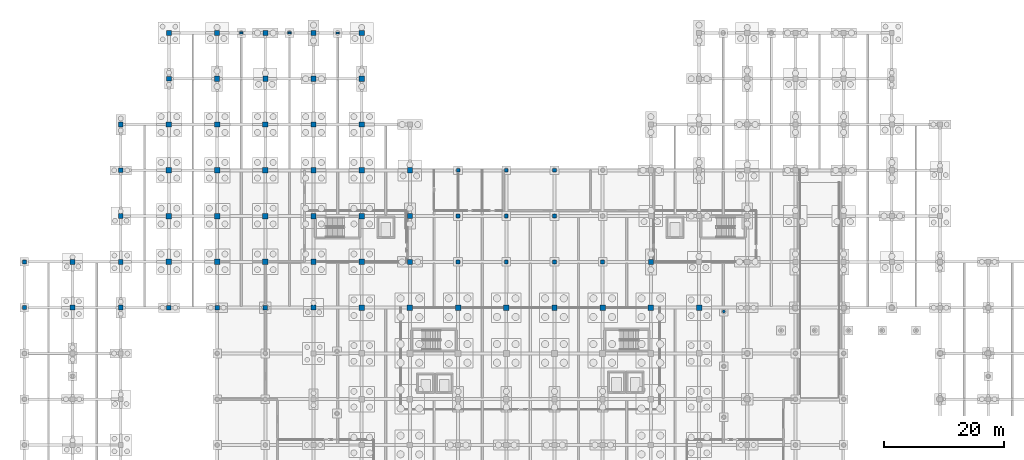
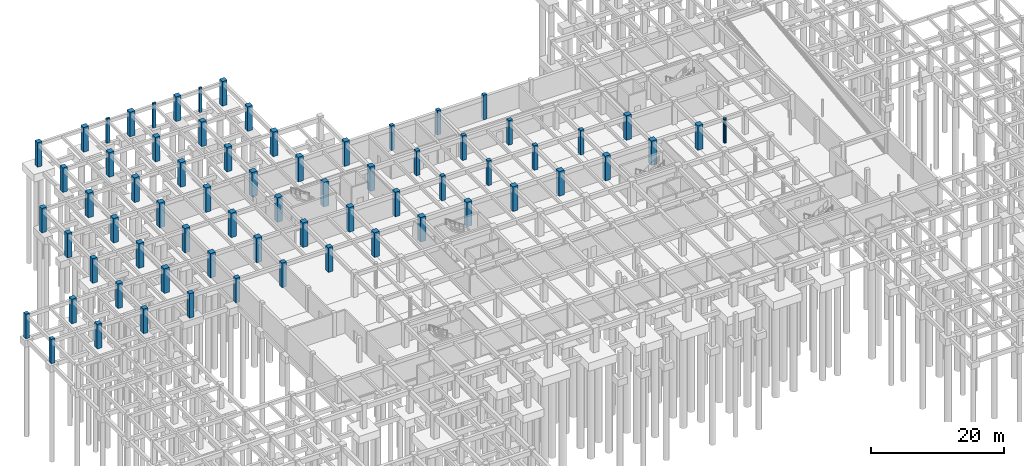
# One storey, part 19 of 49: 69 columns.
"""IFC4 building model written with IfcOpenShell, lengths in metres."""

from ifc_helpers import new_model, si_unit, direction, frame, origin, origin_2d, place, context, subcontext, project, spatial, rectangle, circle, extrude, material, material_profile, profile_set, type_object, element, save


model = new_model("IFC4")

# Units and contexts
model_context = context("Model", 3, precision=1e-05, world=origin(), true_north=direction((0.0, 1.0)))
body_context = subcontext(model_context, "Body", "Model", "MODEL_VIEW")
ifc_project = project(units=[si_unit("LENGTHUNIT", "METRE"), si_unit("AREAUNIT", "SQUARE_METRE"), si_unit("VOLUMEUNIT", "CUBIC_METRE"), si_unit("PLANEANGLEUNIT", "RADIAN"), si_unit("MASSUNIT", "GRAM", prefix="KILO")], contexts=[model_context])

# Site, building, storey
site_placement = place(None, origin())
site = spatial("IfcSite", under=ifc_project, at=site_placement, CompositionType="ELEMENT")
building_placement = place(site_placement, origin())
building = spatial("IfcBuilding", under=site, at=building_placement, Name="Zantavel Square City Hall", CompositionType="ELEMENT")
storey_placement = place(building_placement, frame((0.0, 0.0, -4.5)))
storey = spatial("IfcBuildingStorey", under=building, at=storey_placement, Name="B1", CompositionType="ELEMENT", Elevation=-4.5)

# Columns
ifc_material = material(Name="Concrete C40/50", Category="concrete")
ifc_material_profile_1 = material_profile(ifc_material, rectangle(XDim=0.60009765625, YDim=0.60009765625, at=origin_2d()), Name="RC 600x600")
ifc_profile_set_1 = profile_set([ifc_material_profile_1], Name="Concrete C40/50")
column_type_1 = type_object("IfcColumnType", Name="Column RC 600x600 C40/50", PredefinedType="COLUMN", material=ifc_profile_set_1)
for number, where, z_axis, x_axis, name in (
    (1, (72.0, 91.199951171875, 0.0), (0.0, 0.0, 1.0), (1.0, 0.0, 0.0), "B1 Column COL-B1-0720-0912"),
    (2, (80.0, 91.199951171875, 0.0), (0.0, 0.0, 1.0), (1.0, 0.0, 0.0), "B1 Column COL-B1-0800-0912"),
    (3, (88.0, 91.199951171875, 0.0), (0.0, 0.0, 1.0), (1.0, 0.0, 0.0), "B1 Column COL-B1-0880-0912"),
):
    element("IfcColumn", number, at=place(storey_placement, frame(where, z_axis=z_axis, x_axis=x_axis)), inside=storey, type_object=column_type_1, Name=name, PredefinedType="COLUMN", context=body_context, shape_type="SweptSolid", body=[
        extrude(rectangle(XDim=0.60009765625, YDim=0.60009765625, at=origin_2d()), origin(), (0.0, 0.0, 1.0), 4.5),
    ])
ifc_material_profile_2 = material_profile(ifc_material, rectangle(XDim=0.64990234375, YDim=0.64990234375, at=origin_2d()), Name="RC 650x650")
ifc_profile_set_2 = profile_set([ifc_material_profile_2], Name="Concrete C40/50")
column_type_2 = type_object("IfcColumnType", Name="Column RC 650x650 C40/50", PredefinedType="COLUMN", material=ifc_profile_set_2)
for number, where, z_axis, x_axis, name in (
    (4, (0.0, 68.39990234375, 0.0), (0.0, 0.0, 1.0), (1.0, 0.0, 0.0), "B1 Column COL-B1-0000-0684"),
    (5, (0.0, 76.0, 0.0), (0.0, 0.0, 1.0), (1.0, 0.0, 0.0), "B1 Column COL-B1-0000-0760"),
    (6, (72.0, 76.0, 0.0), (0.0, 0.0, 1.0), (1.0, 0.0, 0.0), "B1 Column COL-B1-0720-0760"),
    (7, (72.0, 83.60009765625, 0.0), (0.0, 0.0, 1.0), (1.0, 0.0, 0.0), "B1 Column COL-B1-0720-0836"),
    (8, (80.0, 76.0, 0.0), (0.0, 0.0, 1.0), (1.0, 0.0, 0.0), "B1 Column COL-B1-0800-0760"),
    (9, (80.0, 83.60009765625, 0.0), (0.0, 0.0, 1.0), (1.0, 0.0, 0.0), "B1 Column COL-B1-0800-0836"),
    (10, (88.0, 76.0, 0.0), (0.0, 0.0, 1.0), (1.0, 0.0, 0.0), "B1 Column COL-B1-0880-0760"),
    (11, (88.0, 83.60009765625, 0.0), (0.0, 0.0, 1.0), (1.0, 0.0, 0.0), "B1 Column COL-B1-0880-0836"),
    (12, (96.0, 76.0, 0.0), (0.0, 0.0, 1.0), (1.0, 0.0, 0.0), "B1 Column COL-B1-0960-0760"),
):
    element("IfcColumn", number, at=place(storey_placement, frame(where, z_axis=z_axis, x_axis=x_axis)), inside=storey, type_object=column_type_2, Name=name, PredefinedType="COLUMN", context=body_context, shape_type="SweptSolid", body=[
        extrude(rectangle(XDim=0.64990234375, YDim=0.64990234375, at=origin_2d()), origin(), (0.0, 0.0, 1.0), 4.5),
    ])
ifc_material_profile_3 = material_profile(ifc_material, rectangle(XDim=0.75, YDim=0.75, at=origin_2d()), Name="RC 750x750")
ifc_profile_set_3 = profile_set([ifc_material_profile_3], Name="Concrete C40/50")
column_type_3 = type_object("IfcColumnType", Name="Column RC 750x750 C40/50", PredefinedType="COLUMN", material=ifc_profile_set_3)
for number, where, z_axis, x_axis, name in (
    (13, (24.0, 68.39990234375, 0.0), (0.0, 0.0, 1.0), (1.0, 0.0, 0.0), "B1 Column COL-B1-0240-0684"),
    (14, (32.0, 68.39990234375, 0.0), (0.0, 0.0, 1.0), (1.0, 0.0, 0.0), "B1 Column COL-B1-0320-0684"),
    (15, (40.0, 68.39990234375, 0.0), (0.0, 0.0, 1.0), (1.0, 0.0, 0.0), "B1 Column COL-B1-0400-0684"),
):
    element("IfcColumn", number, at=place(storey_placement, frame(where, z_axis=z_axis, x_axis=x_axis)), inside=storey, type_object=column_type_3, Name=name, PredefinedType="COLUMN", context=body_context, shape_type="SweptSolid", body=[
        extrude(rectangle(XDim=0.75, YDim=0.75, at=origin_2d()), origin(), (0.0, 0.0, 1.0), 4.5),
    ])
ifc_material_profile_4 = material_profile(ifc_material, rectangle(XDim=0.800048828125, YDim=0.800048828125, at=origin_2d()), Name="RC 800x800")
ifc_profile_set_4 = profile_set([ifc_material_profile_4], Name="Concrete C40/50")
column_type_4 = type_object("IfcColumnType", Name="Column RC 800x800 C40/50", PredefinedType="COLUMN", material=ifc_profile_set_4)
for number, where, z_axis, x_axis, name in (
    (16, (8.0, 68.39990234375, 0.0), (0.0, 0.0, 1.0), (1.0, 0.0, 0.0), "B1 Column COL-B1-0080-0684"),
    (17, (8.0, 76.0, 0.0), (0.0, 0.0, 1.0), (1.0, 0.0, 0.0), "B1 Column COL-B1-0080-0760"),
    (18, (16.0, 68.39990234375, 0.0), (0.0, 0.0, 1.0), (1.0, 0.0, 0.0), "B1 Column COL-B1-0160-0684"),
    (19, (16.0, 76.0, 0.0), (0.0, 0.0, 1.0), (1.0, 0.0, 0.0), "B1 Column COL-B1-0160-0760"),
    (20, (16.0, 83.60009765625, 0.0), (0.0, 0.0, 1.0), (1.0, 0.0, 0.0), "B1 Column COL-B1-0160-0836"),
    (21, (16.0, 91.199951171875, 0.0), (0.0, 0.0, 1.0), (1.0, 0.0, 0.0), "B1 Column COL-B1-0160-0912"),
    (22, (16.0, 98.800048828125, 0.0), (0.0, 0.0, 1.0), (1.0, 0.0, 0.0), "B1 Column COL-B1-0160-0988"),
    (23, (24.0, 106.39990234375, 0.0), (0.0, 0.0, 1.0), (1.0, 0.0, 0.0), "B1 Column COL-B1-0240-1064"),
    (24, (24.0, 114.0, 0.0), (0.0, 0.0, 1.0), (1.0, 0.0, 0.0), "B1 Column COL-B1-0240-1140"),
    (25, (48.0, 68.39990234375, 0.0), (0.0, 0.0, 1.0), (1.0, 0.0, 0.0), "B1 Column COL-B1-0480-0684"),
):
    element("IfcColumn", number, at=place(storey_placement, frame(where, z_axis=z_axis, x_axis=x_axis)), inside=storey, type_object=column_type_4, Name=name, PredefinedType="COLUMN", context=body_context, shape_type="SweptSolid", body=[
        extrude(rectangle(XDim=0.800048828125, YDim=0.800048828125, at=origin_2d()), origin(), (0.0, 0.0, 1.0), 4.5),
    ])
ifc_material_profile_5 = material_profile(ifc_material, rectangle(XDim=0.85009765625, YDim=0.85009765625, at=origin_2d()), Name="RC 850x850")
ifc_profile_set_5 = profile_set([ifc_material_profile_5], Name="Concrete C40/50")
column_type_5 = type_object("IfcColumnType", Name="Column RC 850x850 C40/50", PredefinedType="COLUMN", material=ifc_profile_set_5)
for number, where, z_axis, x_axis, name in (
    (26, (32.0, 106.39990234375, 0.0), (0.0, 0.0, 1.0), (1.0, 0.0, 0.0), "B1 Column COL-B1-0320-1064"),
    (27, (32.0, 114.0, 0.0), (0.0, 0.0, 1.0), (1.0, 0.0, 0.0), "B1 Column COL-B1-0320-1140"),
    (28, (40.0, 106.39990234375, 0.0), (0.0, 0.0, 1.0), (1.0, 0.0, 0.0), "B1 Column COL-B1-0400-1064"),
    (29, (40.0, 114.0, 0.0), (0.0, 0.0, 1.0), (1.0, 0.0, 0.0), "B1 Column COL-B1-0400-1140"),
    (30, (48.0, 106.39990234375, 0.0), (0.0, 0.0, 1.0), (1.0, 0.0, 0.0), "B1 Column COL-B1-0480-1064"),
    (31, (48.0, 114.0, 0.0), (0.0, 0.0, 1.0), (1.0, 0.0, 0.0), "B1 Column COL-B1-0480-1140"),
    (32, (56.0, 106.39990234375, 0.0), (0.0, 0.0, 1.0), (1.0, 0.0, 0.0), "B1 Column COL-B1-0560-1064"),
    (33, (56.0, 114.0, 0.0), (0.0, 0.0, 1.0), (1.0, 0.0, 0.0), "B1 Column COL-B1-0560-1140"),
    (34, (64.0, 76.0, 0.0), (0.0, 0.0, 1.0), (1.0, 0.0, 0.0), "B1 Column COL-B1-0640-0760"),
    (35, (64.0, 83.60009765625, 0.0), (0.0, 0.0, 1.0), (1.0, 0.0, 0.0), "B1 Column COL-B1-0640-0836"),
    (36, (64.0, 91.199951171875, 0.0), (0.0, 0.0, 1.0), (1.0, 0.0, 0.0), "B1 Column COL-B1-0640-0912"),
    (37, (104.0, 76.0, 0.0), (0.0, 0.0, 1.0), (1.0, 0.0, 0.0), "B1 Column COL-B1-1040-0760"),
):
    element("IfcColumn", number, at=place(storey_placement, frame(where, z_axis=z_axis, x_axis=x_axis)), inside=storey, type_object=column_type_5, Name=name, PredefinedType="COLUMN", context=body_context, shape_type="SweptSolid", body=[
        extrude(rectangle(XDim=0.85009765625, YDim=0.85009765625, at=origin_2d()), origin(), (0.0, 0.0, 1.0), 4.5),
    ])
ifc_material_profile_6 = material_profile(ifc_material, rectangle(XDim=0.89990234375, YDim=0.89990234375, at=origin_2d()), Name="RC 900x900")
ifc_profile_set_6 = profile_set([ifc_material_profile_6], Name="Concrete C40/50")
column_type_6 = type_object("IfcColumnType", Name="Column RC 900x900 C40/50", PredefinedType="COLUMN", material=ifc_profile_set_6)
for number, where, z_axis, x_axis, name in (
    (38, (24.0, 76.0, 0.0), (0.0, 0.0, 1.0), (1.0, 0.0, 0.0), "B1 Column COL-B1-0240-0760"),
    (39, (24.0, 83.60009765625, 0.0), (0.0, 0.0, 1.0), (1.0, 0.0, 0.0), "B1 Column COL-B1-0240-0836"),
    (40, (24.0, 91.199951171875, 0.0), (0.0, 0.0, 1.0), (1.0, 0.0, 0.0), "B1 Column COL-B1-0240-0912"),
    (41, (24.0, 98.800048828125, 0.0), (0.0, 0.0, 1.0), (1.0, 0.0, 0.0), "B1 Column COL-B1-0240-0988"),
    (42, (32.0, 76.0, 0.0), (0.0, 0.0, 1.0), (1.0, 0.0, 0.0), "B1 Column COL-B1-0320-0760"),
    (43, (32.0, 83.60009765625, 0.0), (0.0, 0.0, 1.0), (1.0, 0.0, 0.0), "B1 Column COL-B1-0320-0836"),
    (44, (32.0, 91.199951171875, 0.0), (0.0, 0.0, 1.0), (1.0, 0.0, 0.0), "B1 Column COL-B1-0320-0912"),
    (45, (32.0, 98.800048828125, 0.0), (0.0, 0.0, 1.0), (1.0, 0.0, 0.0), "B1 Column COL-B1-0320-0988"),
    (46, (40.0, 76.0, 0.0), (0.0, 0.0, 1.0), (1.0, 0.0, 0.0), "B1 Column COL-B1-0400-0760"),
    (47, (40.0, 83.60009765625, 0.0), (0.0, 0.0, 1.0), (1.0, 0.0, 0.0), "B1 Column COL-B1-0400-0836"),
    (48, (40.0, 91.199951171875, 0.0), (0.0, 0.0, 1.0), (1.0, 0.0, 0.0), "B1 Column COL-B1-0400-0912"),
    (49, (40.0, 98.800048828125, 0.0), (0.0, 0.0, 1.0), (1.0, 0.0, 0.0), "B1 Column COL-B1-0400-0988"),
    (50, (48.0, 76.0, 0.0), (0.0, 0.0, 1.0), (1.0, 0.0, 0.0), "B1 Column COL-B1-0480-0760"),
    (51, (48.0, 83.60009765625, 0.0), (0.0, 0.0, 1.0), (1.0, 0.0, 0.0), "B1 Column COL-B1-0480-0836"),
    (52, (48.0, 91.199951171875, 0.0), (0.0, 0.0, 1.0), (1.0, 0.0, 0.0), "B1 Column COL-B1-0480-0912"),
    (53, (48.0, 98.800048828125, 0.0), (0.0, 0.0, 1.0), (1.0, 0.0, 0.0), "B1 Column COL-B1-0480-0988"),
    (54, (56.0, 68.39990234375, 0.0), (0.0, 0.0, 1.0), (1.0, 0.0, 0.0), "B1 Column COL-B1-0560-0684"),
    (55, (56.0, 76.0, 0.0), (0.0, 0.0, 1.0), (1.0, 0.0, 0.0), "B1 Column COL-B1-0560-0760"),
    (56, (56.0, 83.60009765625, 0.0), (0.0, 0.0, 1.0), (1.0, 0.0, 0.0), "B1 Column COL-B1-0560-0836"),
    (57, (56.0, 91.199951171875, 0.0), (0.0, 0.0, 1.0), (1.0, 0.0, 0.0), "B1 Column COL-B1-0560-0912"),
    (58, (56.0, 98.800048828125, 0.0), (0.0, 0.0, 1.0), (1.0, 0.0, 0.0), "B1 Column COL-B1-0560-0988"),
    (59, (64.0, 68.39990234375, 0.0), (0.0, 0.0, 1.0), (1.0, 0.0, 0.0), "B1 Column COL-B1-0640-0684"),
    (60, (72.0, 68.39990234375, 0.0), (0.0, 0.0, 1.0), (1.0, 0.0, 0.0), "B1 Column COL-B1-0720-0684"),
    (61, (80.0, 68.39990234375, 0.0), (0.0, 0.0, 1.0), (1.0, 0.0, 0.0), "B1 Column COL-B1-0800-0684"),
    (62, (88.0, 68.39990234375, 0.0), (0.0, 0.0, 1.0), (1.0, 0.0, 0.0), "B1 Column COL-B1-0880-0684"),
    (63, (96.0, 68.39990234375, 0.0), (0.0, 0.0, 1.0), (1.0, 0.0, 0.0), "B1 Column COL-B1-0960-0684"),
    (64, (104.0, 68.39990234375, 0.0), (0.0, 0.0, 1.0), (1.0, 0.0, 0.0), "B1 Column COL-B1-1040-0684"),
    (65, (112.0, 68.39990234375, 0.0), (0.0, 0.0, 1.0), (1.0, 0.0, 0.0), "B1 Column COL-B1-1120-0684"),
):
    element("IfcColumn", number, at=place(storey_placement, frame(where, z_axis=z_axis, x_axis=x_axis)), inside=storey, type_object=column_type_6, Name=name, PredefinedType="COLUMN", context=body_context, shape_type="SweptSolid", body=[
        extrude(rectangle(XDim=0.89990234375, YDim=0.89990234375, at=origin_2d()), origin(), (0.0, 0.0, 1.0), 4.5),
    ])
ifc_material_profile_7 = material_profile(ifc_material, rectangle(XDim=0.5, YDim=0.300048828125, at=origin_2d()), Name="RC 500x300")
ifc_profile_set_7 = profile_set([ifc_material_profile_7], Name="Concrete C40/50")
column_type_7 = type_object("IfcColumnType", Name="Courtyard Stone Pilaster 500x300 C40/50", PredefinedType="PILASTER", material=ifc_profile_set_7)
column_1_placement = place(storey_placement, frame((52.0, 114.0, 0.0), z_axis=(0.0, 0.0, 1.0), x_axis=(1.0, 0.0, 0.0)))
element("IfcColumn", 66, at=column_1_placement, inside=storey, type_object=column_type_7, Name="B1 Facade Pilaster PIL-B1-0520-1140", PredefinedType="PILASTER", context=body_context, shape_type="SweptSolid", body=[
    extrude(rectangle(XDim=0.5, YDim=0.300048828125, at=origin_2d()), origin(), (0.0, 0.0, 1.0), 4.5),
])
ifc_material_profile_8 = material_profile(ifc_material, rectangle(XDim=0.550048828125, YDim=0.320068359375, at=origin_2d()), Name="RC 550x320")
ifc_profile_set_8 = profile_set([ifc_material_profile_8], Name="Concrete C40/50")
column_type_8 = type_object("IfcColumnType", Name="North Wing Stone Pilaster 550x320 C40/50", PredefinedType="PILASTER", material=ifc_profile_set_8)
for number, where, z_axis, x_axis, name in (
    (67, (36.0, 114.0, 0.0), (0.0, 0.0, 1.0), (1.0, 0.0, 0.0), "B1 Facade Pilaster PIL-B1-0360-1140"),
    (68, (44.0, 114.0, 0.0), (0.0, 0.0, 1.0), (1.0, 0.0, 0.0), "B1 Facade Pilaster PIL-B1-0440-1140"),
):
    element("IfcColumn", number, at=place(storey_placement, frame(where, z_axis=z_axis, x_axis=x_axis)), inside=storey, type_object=column_type_8, Name=name, PredefinedType="PILASTER", context=body_context, shape_type="SweptSolid", body=[
        extrude(rectangle(XDim=0.550048828125, YDim=0.320068359375, at=origin_2d()), origin(), (0.0, 0.0, 1.0), 4.5),
    ])
ifc_material_profile_9 = material_profile(ifc_material, circle(Radius=0.25, at=origin_2d()), Name="ROUND D500")
ifc_profile_set_9 = profile_set([ifc_material_profile_9], Name="Concrete C40/50")
column_type_9 = type_object("IfcColumnType", Name="Portico Canopy Classical Column D500 C40/50", PredefinedType="COLUMN", material=ifc_profile_set_9)
column_2_placement = place(storey_placement, frame((116.10009765625, 67.7451171875, 0.0), z_axis=(0.0, 0.0, 1.0), x_axis=(1.0, 0.0, 0.0)))
element("IfcColumn", 69, at=column_2_placement, inside=storey, type_object=column_type_9, Name="B1 Terrace Stair Loggia Column 3", PredefinedType="COLUMN", context=body_context, shape_type="SweptSolid", body=[
    extrude(circle(Radius=0.25, at=origin_2d()), origin(), (0.0, 0.0, 1.0), 4.5),
])

save(model, "model.ifc")
